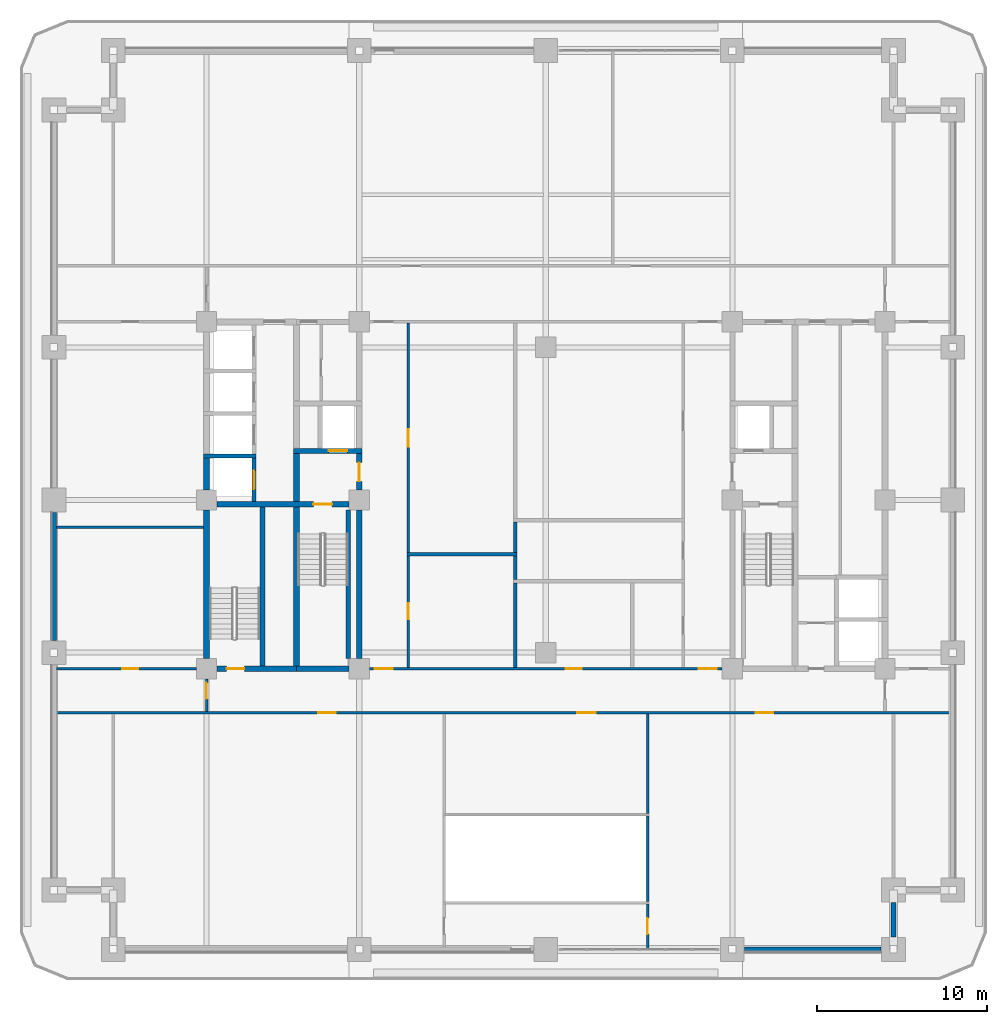
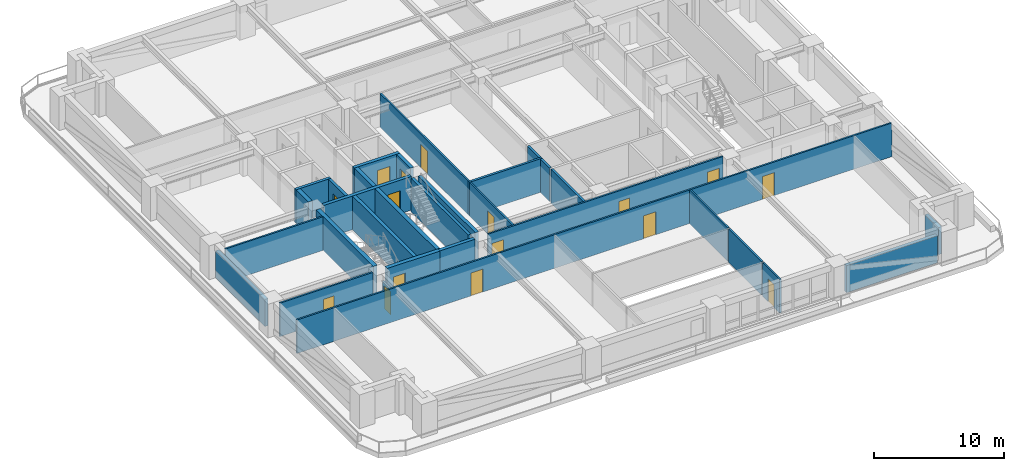
# One storey, part 7 of 18: 31 walls, 16 doors, 16 openings.
"""IFC4 building model written with IfcOpenShell, lengths in metres."""

from ifc_helpers import new_model, si_unit, direction, frame, frame_2d, origin, place, context, subcontext, project, spatial, rectangle, extrude, material, layer, layer_set, type_object, element, fill, save


model = new_model("IFC4")

# Units and contexts
model_context = context("Model", 3, precision=1e-05, world=origin(), true_north=direction((0.0, 1.0)))
body_context = subcontext(model_context, "Body", "Model", "MODEL_VIEW")
ifc_project = project(units=[si_unit("LENGTHUNIT", "METRE"), si_unit("AREAUNIT", "SQUARE_METRE"), si_unit("VOLUMEUNIT", "CUBIC_METRE"), si_unit("PLANEANGLEUNIT", "RADIAN"), si_unit("MASSUNIT", "GRAM", prefix="KILO")], contexts=[model_context])

# Site, building, storey
site_placement = place(None, origin())
site = spatial("IfcSite", under=ifc_project, at=site_placement, CompositionType="ELEMENT")
building_placement = place(site_placement, origin())
building = spatial("IfcBuilding", under=site, at=building_placement, Name="Zulmaris Gate Convention Tower", CompositionType="ELEMENT")
storey_placement = place(building_placement, frame((0.0, 0.0, 78.60986328125)))
storey = spatial("IfcBuildingStorey", under=building, at=storey_placement, Name="L19", CompositionType="ELEMENT", Elevation=78.60986328125)

# Wall
ifc_material_1 = material(Name="Concrete C50/60", Category="concrete")
ifc_layer_1 = layer(ifc_material_1, 0.25, Name="Concrete C50/60")
ifc_layer_set_1 = layer_set([ifc_layer_1], Name="Concrete C50/60")
wall_type_1 = type_object("IfcWallType", Name="CORE-250", PredefinedType="SOLIDWALL", material=ifc_layer_set_1)
wall_1_placement = place(storey_placement, frame((-20.175048828125, 2.60009765625, 0.0), z_axis=(0.0, 0.0, 1.0), x_axis=(1.0, 0.0, 0.0)))
element("IfcWall", 1, at=wall_1_placement, inside=storey, type_object=wall_type_1, Name="WL-L19-009", PredefinedType="SOLIDWALL", context=body_context, shape_type="SweptSolid", body=[
    extrude(rectangle(XDim=3.10009765625, YDim=0.25, at=frame_2d((1.550048828125, 0.0))), origin(), (0.0, 0.0, 1.0), 3.14501953125),
])

# Wall, opening, door
wall_2_placement = place(storey_placement, frame((-17.199951171875, -0.097900390625, 0.0), z_axis=(0.0, 0.0, 1.0), x_axis=(0.0, 1.0, 0.0)))
wall_2 = element("IfcWall", 2, at=wall_2_placement, inside=storey, type_object=wall_type_1, Name="WL-L19-041", PredefinedType="SOLIDWALL", context=body_context, shape_type="SweptSolid", body=[
    extrude(rectangle(XDim=2.57080078125, YDim=0.25, at=frame_2d((1.285400390625, 0.0))), origin(), (0.0, 0.0, 1.0), 3.14501953125),
])
opening_1_placement = place(wall_2_placement, frame((0.722900390625, 0.0, 0.0)))
opening_1 = element("IfcOpeningElement", 3, at=opening_1_placement, cuts=wall_2, Name="Opening D-06", PredefinedType="OPENING", context=body_context, shape_type="SweptSolid", body=[
    extrude(rectangle(XDim=1.10009765625, YDim=2.199951171875, at=frame_2d((0.550048828125, 1.10009765625))), frame((0.0, 0.135009765625, 0.0), z_axis=(0.0, -1.0, 0.0), x_axis=(1.0, 0.0, 0.0)), (0.0, 0.0, 1.0), 0.27001953125),
])
ifc_material_2 = material(Name="Brushed Stainless Steel", Category="steel")
door_type_1 = type_object("IfcDoorType", Name="LD-1100", OperationType="NOTDEFINED", PredefinedType="DOOR", material=ifc_material_2)
door_1_placement = place(opening_1_placement, origin())
door_1 = element("IfcDoor", 4, at=door_1_placement, inside=storey, type_object=door_type_1, Name="L19 Lift Landing Door LP-01 12", OperationType="SLIDING_TO_LEFT", OverallHeight=2.199951171875, OverallWidth=1.10009765625, PredefinedType="DOOR", context=body_context, shape_type="SweptSolid", body=[
    extrude(rectangle(XDim=1.10009765625, YDim=2.199951171875, at=frame_2d((0.550048828125, 1.10009765625))), frame((0.0, 0.02490234375, 0.0), z_axis=(0.0, -1.0, 0.0), x_axis=(1.0, 0.0, 0.0)), (0.0, 0.0, 1.0), 0.050048828125),
])
fill(opening_1, door_1)

# Walls
wall_3_placement = place(storey_placement, frame((-11.64990234375, -9.345947265625, 0.0), z_axis=(0.0, 0.0, 1.0), x_axis=(0.0, 1.0, 0.0)))
element("IfcWall", 5, at=wall_3_placement, inside=storey, type_object=wall_type_1, Name="WL-L19-051", PredefinedType="SOLIDWALL", context=body_context, shape_type="SweptSolid", body=[
    extrude(rectangle(XDim=8.741943359375, YDim=0.25, at=frame_2d((4.37109375, 0.0))), origin(), (0.0, 0.0, 1.0), 3.14501953125),
])
ifc_layer_2 = layer(ifc_material_1, 0.300048828125, Name="Concrete C50/60")
ifc_layer_set_2 = layer_set([ifc_layer_2], Name="Concrete C50/60")
wall_type_2 = type_object("IfcWallType", Name="CORE-300", PredefinedType="SHEAR", material=ifc_layer_set_2)
wall_4_placement = place(storey_placement, frame((-14.699951171875, -9.949951171875, 0.0), z_axis=(0.0, 0.0, 1.0), x_axis=(1.0, 0.0, 0.0)))
element("IfcWall", 6, at=wall_4_placement, inside=storey, type_object=wall_type_2, Name="WL-L19-002", PredefinedType="SHEAR", context=body_context, shape_type="SweptSolid", body=[
    extrude(rectangle(XDim=3.095947265625, YDim=0.300048828125, at=frame_2d((1.5478515625, 0.0))), origin(), (0.0, 0.0, 1.0), 3.14501953125),
])

# Wall, opening, door
wall_5_placement = place(storey_placement, frame((-19.39599609375, -0.25, 0.0), z_axis=(0.0, 0.0, 1.0), x_axis=(1.0, 0.0, 0.0)))
wall_5 = element("IfcWall", 7, at=wall_5_placement, inside=storey, type_object=wall_type_2, Name="WL-L19-007", PredefinedType="SHEAR", context=body_context, shape_type="SweptSolid", body=[
    extrude(rectangle(XDim=7.7919921875, YDim=0.300048828125, at=frame_2d((3.89599609375, 0.0))), origin(), (0.0, 0.0, 1.0), 3.14501953125),
])
opening_2_placement = place(wall_5_placement, frame((5.696044921875, 0.0, 0.0)))
opening_2 = element("IfcOpeningElement", 8, at=opening_2_placement, cuts=wall_5, Name="Opening D-08", PredefinedType="OPENING", context=body_context, shape_type="SweptSolid", body=[
    extrude(rectangle(XDim=1.10009765625, YDim=2.14990234375, at=frame_2d((0.550048828125, 1.074951171875))), frame((0.0, 0.16015625, 0.0), z_axis=(0.0, -1.0, 0.0), x_axis=(1.0, 0.0, 0.0)), (0.0, 0.0, 1.0), 0.320068359375),
])
ifc_material_3 = material(Name="Fire-Rated Steel", Category="steel")
door_type_2 = type_object("IfcDoorType", Name="DR-1100-FD", OperationType="NOTDEFINED", PredefinedType="DOOR", material=ifc_material_3)
door_2_placement = place(opening_2_placement, origin())
door_2 = element("IfcDoor", 9, at=door_2_placement, inside=storey, type_object=door_type_2, Name="L19 Exit Stair ST-1 Door 01", OperationType="SINGLE_SWING_RIGHT", OverallHeight=2.14990234375, OverallWidth=1.10009765625, PredefinedType="DOOR", context=body_context, shape_type="SweptSolid", body=[
    extrude(rectangle(XDim=1.10009765625, YDim=2.14990234375, at=frame_2d((0.550048828125, 1.074951171875))), frame((0.0, 0.02490234375, 0.0), z_axis=(0.0, -1.0, 0.0), x_axis=(1.0, 0.0, 0.0)), (0.0, 0.0, 1.0), 0.050048828125),
])
fill(opening_2, door_2)

wall_6_placement = place(storey_placement, frame((-14.875, 2.89990234375, 0.0), z_axis=(0.0, 0.0, 1.0), x_axis=(1.0, 0.0, 0.0)))
wall_6 = element("IfcWall", 10, at=wall_6_placement, inside=storey, type_object=wall_type_2, Name="WL-L19-010", PredefinedType="SHEAR", context=body_context, shape_type="SweptSolid", body=[
    extrude(rectangle(XDim=4.02490234375, YDim=0.300048828125, at=frame_2d((2.012451171875, 0.0))), origin(), (0.0, 0.0, 1.0), 3.14501953125),
])
opening_3_placement = place(wall_6_placement, frame((2.074951171875, 0.0, 0.0)))
opening_3 = element("IfcOpeningElement", 11, at=opening_3_placement, cuts=wall_6, Name="Opening D-06", PredefinedType="OPENING", context=body_context, shape_type="SweptSolid", body=[
    extrude(rectangle(XDim=1.10009765625, YDim=2.199951171875, at=frame_2d((0.550048828125, 1.10009765625))), frame((0.0, 0.16015625, 0.0), z_axis=(0.0, -1.0, 0.0), x_axis=(1.0, 0.0, 0.0)), (0.0, 0.0, 1.0), 0.320068359375),
])
door_3_placement = place(opening_3_placement, origin())
door_3 = element("IfcDoor", 12, at=door_3_placement, inside=storey, type_object=door_type_1, Name="L19 Lift Landing Door LF-01 03", OperationType="SLIDING_TO_LEFT", OverallHeight=2.199951171875, OverallWidth=1.10009765625, PredefinedType="DOOR", context=body_context, shape_type="SweptSolid", body=[
    extrude(rectangle(XDim=1.10009765625, YDim=2.199951171875, at=frame_2d((0.550048828125, 1.10009765625))), frame((0.0, 0.02490234375, 0.0), z_axis=(0.0, -1.0, 0.0), x_axis=(1.0, 0.0, 0.0)), (0.0, 0.0, 1.0), 0.050048828125),
])
fill(opening_3, door_3)

# Walls
wall_7_placement = place(storey_placement, frame((-16.699951171875, -9.77294921875, 0.0), z_axis=(0.0, 0.0, 1.0), x_axis=(0.0, 1.0, 0.0)))
element("IfcWall", 13, at=wall_7_placement, inside=storey, type_object=wall_type_2, Name="WL-L19-045", PredefinedType="SHEAR", context=body_context, shape_type="SweptSolid", body=[
    extrude(rectangle(XDim=9.370849609375, YDim=0.300048828125, at=frame_2d((4.685546875, 0.0))), origin(), (0.0, 0.0, 1.0), 3.14501953125),
])
wall_8_placement = place(storey_placement, frame((-11.0, -9.345947265625, 0.0), z_axis=(0.0, 0.0, 1.0), x_axis=(0.0, 1.0, 0.0)))
element("IfcWall", 14, at=wall_8_placement, inside=storey, type_object=wall_type_2, Name="WL-L19-052", PredefinedType="SHEAR", context=body_context, shape_type="SweptSolid", body=[
    extrude(rectangle(XDim=8.741943359375, YDim=0.300048828125, at=frame_2d((4.37109375, 0.0))), origin(), (0.0, 0.0, 1.0), 3.14501953125),
])

# Wall, opening, door
wall_9_placement = place(storey_placement, frame((-11.0, 0.60400390625, 0.0), z_axis=(0.0, 0.0, 1.0), x_axis=(0.0, 1.0, 0.0)))
wall_9 = element("IfcWall", 15, at=wall_9_placement, inside=storey, type_object=wall_type_2, Name="WL-L19-053", PredefinedType="SHEAR", context=body_context, shape_type="SweptSolid", body=[
    extrude(rectangle(XDim=2.14404296875, YDim=0.300048828125, at=frame_2d((1.072021484375, 0.0))), origin(), (0.0, 0.0, 1.0), 3.14501953125),
])
opening_4_placement = place(wall_9_placement, frame((0.49609375, 0.0, 0.0)))
opening_4 = element("IfcOpeningElement", 16, at=opening_4_placement, cuts=wall_9, Name="Opening D-08", PredefinedType="OPENING", context=body_context, shape_type="SweptSolid", body=[
    extrude(rectangle(XDim=1.10009765625, YDim=2.14990234375, at=frame_2d((0.550048828125, 1.074951171875))), frame((0.0, 0.16015625, 0.0), z_axis=(0.0, -1.0, 0.0), x_axis=(1.0, 0.0, 0.0)), (0.0, 0.0, 1.0), 0.320068359375),
])
door_4_placement = place(opening_4_placement, origin())
door_4 = element("IfcDoor", 17, at=door_4_placement, inside=storey, type_object=door_type_2, Name="L19 West Firefighting Lobby Door 02", OperationType="SINGLE_SWING_LEFT", OverallHeight=2.14990234375, OverallWidth=1.10009765625, PredefinedType="DOOR", context=body_context, shape_type="SweptSolid", body=[
    extrude(rectangle(XDim=1.10009765625, YDim=2.14990234375, at=frame_2d((0.550048828125, 1.074951171875))), frame((0.0, 0.02490234375, 0.0), z_axis=(0.0, -1.0, 0.0), x_axis=(1.0, 0.0, 0.0)), (0.0, 0.0, 1.0), 0.050048828125),
])
fill(opening_4, door_4)

ifc_material_4 = material(Name="Concrete C55/67", Category="concrete")
ifc_layer_3 = layer(ifc_material_4, 0.35009765625, Name="Concrete C55/67")
ifc_layer_set_3 = layer_set([ifc_layer_3], Name="Concrete C55/67")
wall_type_3 = type_object("IfcWallType", Name="CORE-350", PredefinedType="SHEAR", material=ifc_layer_set_3)
wall_10_placement = place(storey_placement, frame((-19.39599609375, -9.949951171875, 0.0), z_axis=(0.0, 0.0, 1.0), x_axis=(1.0, 0.0, 0.0)))
wall_10 = element("IfcWall", 18, at=wall_10_placement, inside=storey, type_object=wall_type_3, Name="WL-L19-001", PredefinedType="SHEAR", context=body_context, shape_type="SweptSolid", body=[
    extrude(rectangle(XDim=4.696044921875, YDim=0.35009765625, at=frame_2d((2.34814453125, 0.0))), origin(), (0.0, 0.0, 1.0), 3.14501953125),
])
opening_5_placement = place(wall_10_placement, frame((0.571044921875, 0.0, 0.0)))
opening_5 = element("IfcOpeningElement", 19, at=opening_5_placement, cuts=wall_10, Name="Opening D-09", PredefinedType="OPENING", context=body_context, shape_type="SweptSolid", body=[
    extrude(rectangle(XDim=1.050048828125, YDim=2.14990234375, at=frame_2d((0.52490234375, 1.074951171875))), frame((0.0, 0.18505859375, 0.0), z_axis=(0.0, -1.0, 0.0), x_axis=(1.0, 0.0, 0.0)), (0.0, 0.0, 1.0), 0.3701171875),
])
door_type_3 = type_object("IfcDoorType", Name="DR-1050-FD", OperationType="NOTDEFINED", PredefinedType="DOOR", material=ifc_material_3)
door_5_placement = place(opening_5_placement, origin())
door_5 = element("IfcDoor", 20, at=door_5_placement, inside=storey, type_object=door_type_3, Name="L19 Exit Stair ST-3 Door 10", OperationType="SINGLE_SWING_LEFT", OverallHeight=2.14990234375, OverallWidth=1.050048828125, PredefinedType="DOOR", context=body_context, shape_type="SweptSolid", body=[
    extrude(rectangle(XDim=1.050048828125, YDim=2.14990234375, at=frame_2d((0.52490234375, 1.074951171875))), frame((0.0, 0.02490234375, 0.0), z_axis=(0.0, -1.0, 0.0), x_axis=(1.0, 0.0, 0.0)), (0.0, 0.0, 1.0), 0.050048828125),
])
fill(opening_5, door_5)

# Walls
wall_11_placement = place(storey_placement, frame((-20.0, -9.345947265625, 0.0), z_axis=(0.0, 0.0, 1.0), x_axis=(0.0, 1.0, 0.0)))
element("IfcWall", 21, at=wall_11_placement, inside=storey, type_object=wall_type_3, Name="WL-L19-036", PredefinedType="SHEAR", context=body_context, shape_type="SweptSolid", body=[
    extrude(rectangle(XDim=8.741943359375, YDim=0.35009765625, at=frame_2d((4.37109375, 0.0))), origin(), (0.0, 0.0, 1.0), 3.14501953125),
])
wall_12_placement = place(storey_placement, frame((-20.0, 0.60400390625, 0.0), z_axis=(0.0, 0.0, 1.0), x_axis=(0.0, 1.0, 0.0)))
element("IfcWall", 22, at=wall_12_placement, inside=storey, type_object=wall_type_3, Name="WL-L19-037", PredefinedType="SHEAR", context=body_context, shape_type="SweptSolid", body=[
    extrude(rectangle(XDim=1.868896484375, YDim=0.35009765625, at=frame_2d((0.9345703125, 0.0))), origin(), (0.0, 0.0, 1.0), 3.14501953125),
])
wall_13_placement = place(storey_placement, frame((-14.699951171875, -9.77294921875, 0.0), z_axis=(0.0, 0.0, 1.0), x_axis=(0.0, 1.0, 0.0)))
element("IfcWall", 23, at=wall_13_placement, inside=storey, type_object=wall_type_3, Name="WL-L19-046", PredefinedType="SHEAR", context=body_context, shape_type="SweptSolid", body=[
    extrude(rectangle(XDim=9.370849609375, YDim=0.35009765625, at=frame_2d((4.685546875, 0.0))), origin(), (0.0, 0.0, 1.0), 3.14501953125),
])
wall_14_placement = place(storey_placement, frame((-14.699951171875, -0.097900390625, 0.0), z_axis=(0.0, 0.0, 1.0), x_axis=(0.0, 1.0, 0.0)))
element("IfcWall", 24, at=wall_14_placement, inside=storey, type_object=wall_type_3, Name="WL-L19-047", PredefinedType="SHEAR", context=body_context, shape_type="SweptSolid", body=[
    extrude(rectangle(XDim=2.845947265625, YDim=0.35009765625, at=frame_2d((1.4228515625, 0.0))), origin(), (0.0, 0.0, 1.0), 3.14501953125),
])

# Wall, openings, doors
ifc_material_5 = material(Name="Gypsum Metal Stud Partition")
ifc_layer_4 = layer(ifc_material_5, 0.14990234375, Name="Gypsum Metal Stud Partition")
ifc_layer_set_4 = layer_set([ifc_layer_4], Name="Gypsum Metal Stud Partition")
wall_type_4 = type_object("IfcWallType", Name="PART-150", PredefinedType="PARTITIONING", material=ifc_layer_set_4)
wall_15_placement = place(storey_placement, frame((-28.8349609375, -12.550048828125, 0.0), z_axis=(0.0, 0.0, 1.0), x_axis=(1.0, 0.0, 0.0)))
wall_15 = element("IfcWall", 25, at=wall_15_placement, inside=storey, type_object=wall_type_4, Name="WL-L19-022", PredefinedType="PARTITIONING", context=body_context, shape_type="SweptSolid", body=[
    extrude(rectangle(XDim=52.669921875, YDim=0.14990234375, at=frame_2d((26.3349609375, 0.0))), origin(), (0.0, 0.0, 1.0), 3.14501953125),
])
opening_6_placement = place(wall_15_placement, frame((30.68505859375, 0.0, 0.0)))
opening_6 = element("IfcOpeningElement", 26, at=opening_6_placement, cuts=wall_15, Name="Opening D-08", PredefinedType="OPENING", context=body_context, shape_type="SweptSolid", body=[
    extrude(rectangle(XDim=1.10009765625, YDim=2.14990234375, at=frame_2d((0.550048828125, 1.074951171875))), frame((0.0, 0.0849609375, 0.0), z_axis=(0.0, -1.0, 0.0), x_axis=(1.0, 0.0, 0.0)), (0.0, 0.0, 1.0), 0.169921875),
])
opening_7_placement = place(wall_15_placement, frame((15.409912109375, 0.0, 0.0)))
opening_7 = element("IfcOpeningElement", 27, at=opening_7_placement, cuts=wall_15, Name="Opening D-09", PredefinedType="OPENING", context=body_context, shape_type="SweptSolid", body=[
    extrude(rectangle(XDim=1.050048828125, YDim=2.14990234375, at=frame_2d((0.52490234375, 1.074951171875))), frame((0.0, 0.0849609375, 0.0), z_axis=(0.0, -1.0, 0.0), x_axis=(1.0, 0.0, 0.0)), (0.0, 0.0, 1.0), 0.169921875),
])
opening_8_placement = place(wall_15_placement, frame((41.2099609375, 0.0, 0.0)))
opening_8 = element("IfcOpeningElement", 28, at=opening_8_placement, cuts=wall_15, Name="Opening D-09", PredefinedType="OPENING", context=body_context, shape_type="SweptSolid", body=[
    extrude(rectangle(XDim=1.050048828125, YDim=2.14990234375, at=frame_2d((0.52490234375, 1.074951171875))), frame((0.0, 0.0849609375, 0.0), z_axis=(0.0, -1.0, 0.0), x_axis=(1.0, 0.0, 0.0)), (0.0, 0.0, 1.0), 0.169921875),
])
door_6_placement = place(opening_7_placement, origin())
door_6 = element("IfcDoor", 29, at=door_6_placement, inside=storey, type_object=door_type_3, Name="L19 Corner Boardroom SW Door 29", OperationType="SINGLE_SWING_RIGHT", OverallHeight=2.14990234375, OverallWidth=1.050048828125, PredefinedType="DOOR", context=body_context, shape_type="SweptSolid", body=[
    extrude(rectangle(XDim=1.050048828125, YDim=2.14990234375, at=frame_2d((0.52490234375, 1.074951171875))), frame((0.0, 0.02490234375, 0.0), z_axis=(0.0, -1.0, 0.0), x_axis=(1.0, 0.0, 0.0)), (0.0, 0.0, 1.0), 0.050048828125),
])
fill(opening_7, door_6)
door_7_placement = place(opening_8_placement, origin())
door_7 = element("IfcDoor", 30, at=door_7_placement, inside=storey, type_object=door_type_3, Name="L19 Corner Boardroom SE Door 30", OperationType="SINGLE_SWING_LEFT", OverallHeight=2.14990234375, OverallWidth=1.050048828125, PredefinedType="DOOR", context=body_context, shape_type="SweptSolid", body=[
    extrude(rectangle(XDim=1.050048828125, YDim=2.14990234375, at=frame_2d((0.52490234375, 1.074951171875))), frame((0.0, 0.02490234375, 0.0), z_axis=(0.0, -1.0, 0.0), x_axis=(1.0, 0.0, 0.0)), (0.0, 0.0, 1.0), 0.050048828125),
])
fill(opening_8, door_7)
door_8_placement = place(opening_6_placement, origin())
door_8 = element("IfcDoor", 31, at=door_8_placement, inside=storey, type_object=door_type_2, Name="L19 Mezzanine Gallery Door 28", OperationType="SINGLE_SWING_LEFT", OverallHeight=2.14990234375, OverallWidth=1.10009765625, PredefinedType="DOOR", context=body_context, shape_type="SweptSolid", body=[
    extrude(rectangle(XDim=1.10009765625, YDim=2.14990234375, at=frame_2d((0.550048828125, 1.074951171875))), frame((0.0, 0.02490234375, 0.0), z_axis=(0.0, -1.0, 0.0), x_axis=(1.0, 0.0, 0.0)), (0.0, 0.0, 1.0), 0.050048828125),
])
fill(opening_6, door_8)

# Wall, opening, door
wall_16_placement = place(storey_placement, frame((-28.8349609375, -9.949951171875, 0.0), z_axis=(0.0, 0.0, 1.0), x_axis=(1.0, 0.0, 0.0)))
wall_16 = element("IfcWall", 32, at=wall_16_placement, inside=storey, type_object=wall_type_4, Name="WL-L19-023", PredefinedType="PARTITIONING", context=body_context, shape_type="SweptSolid", body=[
    extrude(rectangle(XDim=8.22900390625, YDim=0.14990234375, at=frame_2d((4.114501953125, 0.0))), origin(), (0.0, 0.0, 1.0), 3.14501953125),
])
opening_9_placement = place(wall_16_placement, frame((3.860107421875, 0.0, 0.0)))
opening_9 = element("IfcOpeningElement", 33, at=opening_9_placement, cuts=wall_16, Name="Opening D-11", PredefinedType="OPENING", context=body_context, shape_type="SweptSolid", body=[
    extrude(rectangle(XDim=0.949951171875, YDim=2.14990234375, at=frame_2d((0.47509765625, 1.074951171875))), frame((0.0, 0.0849609375, 0.0), z_axis=(0.0, -1.0, 0.0), x_axis=(1.0, 0.0, 0.0)), (0.0, 0.0, 1.0), 0.169921875),
])
ifc_material_6 = material(Name="Fire-Rated Timber", Category="wood")
door_type_4 = type_object("IfcDoorType", Name="DR-950-FD", OperationType="NOTDEFINED", PredefinedType="DOOR", material=ifc_material_6)
door_9_placement = place(opening_9_placement, origin())
door_9 = element("IfcDoor", 34, at=door_9_placement, inside=storey, type_object=door_type_4, Name="L19 SW Partner Door 40", OperationType="SINGLE_SWING_LEFT", OverallHeight=2.14990234375, OverallWidth=0.949951171875, PredefinedType="DOOR", context=body_context, shape_type="SweptSolid", body=[
    extrude(rectangle(XDim=0.949951171875, YDim=2.14990234375, at=frame_2d((0.47509765625, 1.074951171875))), frame((0.0, 0.02490234375, 0.0), z_axis=(0.0, -1.0, 0.0), x_axis=(1.0, 0.0, 0.0)), (0.0, 0.0, 1.0), 0.050048828125),
])
fill(opening_9, door_9)

# Wall, openings, doors
wall_17_placement = place(storey_placement, frame((-10.39404296875, -9.949951171875, 0.0), z_axis=(0.0, 0.0, 1.0), x_axis=(1.0, 0.0, 0.0)))
wall_17 = element("IfcWall", 35, at=wall_17_placement, inside=storey, type_object=wall_type_4, Name="WL-L19-024", PredefinedType="PARTITIONING", context=body_context, shape_type="SweptSolid", body=[
    extrude(rectangle(XDim=20.7880859375, YDim=0.14990234375, at=frame_2d((10.39404296875, 0.0))), origin(), (0.0, 0.0, 1.0), 3.14501953125),
])
opening_10_placement = place(wall_17_placement, frame((0.319091796875, 0.0, 0.0)))
opening_10 = element("IfcOpeningElement", 36, at=opening_10_placement, cuts=wall_17, Name="Opening D-09", PredefinedType="OPENING", context=body_context, shape_type="SweptSolid", body=[
    extrude(rectangle(XDim=1.050048828125, YDim=2.14990234375, at=frame_2d((0.52490234375, 1.074951171875))), frame((0.0, 0.0849609375, 0.0), z_axis=(0.0, -1.0, 0.0), x_axis=(1.0, 0.0, 0.0)), (0.0, 0.0, 1.0), 0.169921875),
])
opening_11_placement = place(wall_17_placement, frame((19.4189453125, 0.0, 0.0)))
opening_11 = element("IfcOpeningElement", 37, at=opening_11_placement, cuts=wall_17, Name="Opening D-09", PredefinedType="OPENING", context=body_context, shape_type="SweptSolid", body=[
    extrude(rectangle(XDim=1.050048828125, YDim=2.14990234375, at=frame_2d((0.52490234375, 1.074951171875))), frame((0.0, 0.0849609375, 0.0), z_axis=(0.0, -1.0, 0.0), x_axis=(1.0, 0.0, 0.0)), (0.0, 0.0, 1.0), 0.169921875),
])
opening_12_placement = place(wall_17_placement, frame((11.569091796875, 0.0, 0.0)))
opening_12 = element("IfcOpeningElement", 38, at=opening_12_placement, cuts=wall_17, Name="Opening D-11", PredefinedType="OPENING", context=body_context, shape_type="SweptSolid", body=[
    extrude(rectangle(XDim=0.949951171875, YDim=2.14990234375, at=frame_2d((0.47509765625, 1.074951171875))), frame((0.0, 0.0849609375, 0.0), z_axis=(0.0, -1.0, 0.0), x_axis=(1.0, 0.0, 0.0)), (0.0, 0.0, 1.0), 0.169921875),
])
door_10_placement = place(opening_10_placement, origin())
door_10 = element("IfcDoor", 39, at=door_10_placement, inside=storey, type_object=door_type_3, Name="L19 SW Spine Link Door 21", OperationType="SINGLE_SWING_RIGHT", OverallHeight=2.14990234375, OverallWidth=1.050048828125, PredefinedType="DOOR", context=body_context, shape_type="SweptSolid", body=[
    extrude(rectangle(XDim=1.050048828125, YDim=2.14990234375, at=frame_2d((0.52490234375, 1.074951171875))), frame((0.0, 0.02490234375, 0.0), z_axis=(0.0, -1.0, 0.0), x_axis=(1.0, 0.0, 0.0)), (0.0, 0.0, 1.0), 0.050048828125),
])
fill(opening_10, door_10)
door_11_placement = place(opening_11_placement, origin())
door_11 = element("IfcDoor", 40, at=door_11_placement, inside=storey, type_object=door_type_3, Name="L19 SE Spine Link Door 23", OperationType="SINGLE_SWING_RIGHT", OverallHeight=2.14990234375, OverallWidth=1.050048828125, PredefinedType="DOOR", context=body_context, shape_type="SweptSolid", body=[
    extrude(rectangle(XDim=1.050048828125, YDim=2.14990234375, at=frame_2d((0.52490234375, 1.074951171875))), frame((0.0, 0.02490234375, 0.0), z_axis=(0.0, -1.0, 0.0), x_axis=(1.0, 0.0, 0.0)), (0.0, 0.0, 1.0), 0.050048828125),
])
fill(opening_11, door_11)
door_12_placement = place(opening_12_placement, origin())
door_12 = element("IfcDoor", 41, at=door_12_placement, inside=storey, type_object=door_type_4, Name="L19 Print Room Door 36", OperationType="SINGLE_SWING_LEFT", OverallHeight=2.14990234375, OverallWidth=0.949951171875, PredefinedType="DOOR", context=body_context, shape_type="SweptSolid", body=[
    extrude(rectangle(XDim=0.949951171875, YDim=2.14990234375, at=frame_2d((0.47509765625, 1.074951171875))), frame((0.0, 0.02490234375, 0.0), z_axis=(0.0, -1.0, 0.0), x_axis=(1.0, 0.0, 0.0)), (0.0, 0.0, 1.0), 0.050048828125),
])
fill(opening_12, door_12)

# Wall
wall_18_placement = place(storey_placement, frame((-28.8349609375, -1.60009765625, 0.0), z_axis=(0.0, 0.0, 1.0), x_axis=(1.0, 0.0, 0.0)))
element("IfcWall", 42, at=wall_18_placement, inside=storey, type_object=wall_type_4, Name="WL-L19-030", PredefinedType="PARTITIONING", context=body_context, shape_type="SweptSolid", body=[
    extrude(rectangle(XDim=8.656982421875, YDim=0.14990234375, at=frame_2d((4.32861328125, 0.0))), origin(), (0.0, 0.0, 1.0), 3.14501953125),
])

# Wall, opening, door
wall_19_placement = place(storey_placement, frame((-20.0, -12.471923828125, 0.0), z_axis=(0.0, 0.0, 1.0), x_axis=(0.0, 1.0, 0.0)))
wall_19 = element("IfcWall", 43, at=wall_19_placement, inside=storey, type_object=wall_type_4, Name="WL-L19-073", PredefinedType="PARTITIONING", context=body_context, shape_type="SweptSolid", body=[
    extrude(rectangle(XDim=1.916015625, YDim=0.14990234375, at=frame_2d((0.9580078125, 0.0))), origin(), (0.0, 0.0, 1.0), 2.485107421875),
])
opening_13_placement = place(wall_19_placement, frame((0.7470703125, 0.0, 0.0)))
opening_13 = element("IfcOpeningElement", 44, at=opening_13_placement, cuts=wall_19, Name="Opening D-11", PredefinedType="OPENING", context=body_context, shape_type="SweptSolid", body=[
    extrude(rectangle(XDim=0.949951171875, YDim=2.14990234375, at=frame_2d((0.47509765625, 1.074951171875))), frame((0.0, 0.0849609375, 0.0), z_axis=(0.0, -1.0, 0.0), x_axis=(1.0, 0.0, 0.0)), (0.0, 0.0, 1.0), 0.169921875),
])
door_13_placement = place(opening_13_placement, origin())
door_13 = element("IfcDoor", 45, at=door_13_placement, inside=storey, type_object=door_type_4, Name="L19 SW Spur Door 38", OperationType="SINGLE_SWING_LEFT", OverallHeight=2.14990234375, OverallWidth=0.949951171875, PredefinedType="DOOR", context=body_context, shape_type="SweptSolid", body=[
    extrude(rectangle(XDim=0.949951171875, YDim=2.14990234375, at=frame_2d((0.47509765625, 1.074951171875))), frame((0.0, 0.02490234375, 0.0), z_axis=(0.0, -1.0, 0.0), x_axis=(1.0, 0.0, 0.0)), (0.0, 0.0, 1.0), 0.050048828125),
])
fill(opening_13, door_13)

wall_20_placement = place(storey_placement, frame((-8.10009765625, -9.8720703125, 0.0), z_axis=(0.0, 0.0, 1.0), x_axis=(0.0, 1.0, 0.0)))
wall_20 = element("IfcWall", 46, at=wall_20_placement, inside=storey, type_object=wall_type_4, Name="WL-L19-076", PredefinedType="PARTITIONING", context=body_context, shape_type="SweptSolid", body=[
    extrude(rectangle(XDim=6.569091796875, YDim=0.14990234375, at=frame_2d((3.28466796875, 0.0))), origin(), (0.0, 0.0, 1.0), 3.14501953125),
])
opening_14_placement = place(wall_20_placement, frame((2.826904296875, 0.0, 0.0)))
opening_14 = element("IfcOpeningElement", 47, at=opening_14_placement, cuts=wall_20, Name="Opening D-11", PredefinedType="OPENING", context=body_context, shape_type="SweptSolid", body=[
    extrude(rectangle(XDim=0.949951171875, YDim=2.14990234375, at=frame_2d((0.47509765625, 1.074951171875))), frame((0.0, 0.0849609375, 0.0), z_axis=(0.0, -1.0, 0.0), x_axis=(1.0, 0.0, 0.0)), (0.0, 0.0, 1.0), 0.169921875),
])
door_14_placement = place(opening_14_placement, origin())
door_14 = element("IfcDoor", 48, at=door_14_placement, inside=storey, type_object=door_type_4, Name="L19 Wellness Pantry Door 32", OperationType="SINGLE_SWING_LEFT", OverallHeight=2.14990234375, OverallWidth=0.949951171875, PredefinedType="DOOR", context=body_context, shape_type="SweptSolid", body=[
    extrude(rectangle(XDim=0.949951171875, YDim=2.14990234375, at=frame_2d((0.47509765625, 1.074951171875))), frame((0.0, 0.02490234375, 0.0), z_axis=(0.0, -1.0, 0.0), x_axis=(1.0, 0.0, 0.0)), (0.0, 0.0, 1.0), 0.050048828125),
])
fill(opening_14, door_14)

wall_21_placement = place(storey_placement, frame((-8.10009765625, -3.096923828125, 0.0), z_axis=(0.0, 0.0, 1.0), x_axis=(0.0, 1.0, 0.0)))
wall_21 = element("IfcWall", 49, at=wall_21_placement, inside=storey, type_object=wall_type_4, Name="WL-L19-077", PredefinedType="PARTITIONING", context=body_context, shape_type="SweptSolid", body=[
    extrude(rectangle(XDim=13.51904296875, YDim=0.14990234375, at=frame_2d((6.759521484375, 0.0))), origin(), (0.0, 0.0, 1.0), 3.14501953125),
])
opening_15_placement = place(wall_21_placement, frame((6.221923828125, 0.0, 0.0)))
opening_15 = element("IfcOpeningElement", 50, at=opening_15_placement, cuts=wall_21, Name="Opening D-09", PredefinedType="OPENING", context=body_context, shape_type="SweptSolid", body=[
    extrude(rectangle(XDim=1.050048828125, YDim=2.14990234375, at=frame_2d((0.52490234375, 1.074951171875))), frame((0.0, 0.0849609375, 0.0), z_axis=(0.0, -1.0, 0.0), x_axis=(1.0, 0.0, 0.0)), (0.0, 0.0, 1.0), 0.169921875),
])
door_15_placement = place(opening_15_placement, origin())
door_15 = element("IfcDoor", 51, at=door_15_placement, inside=storey, type_object=door_type_3, Name="L19 Boardroom Door 31", OperationType="SINGLE_SWING_RIGHT", OverallHeight=2.14990234375, OverallWidth=1.050048828125, PredefinedType="DOOR", context=body_context, shape_type="SweptSolid", body=[
    extrude(rectangle(XDim=1.050048828125, YDim=2.14990234375, at=frame_2d((0.52490234375, 1.074951171875))), frame((0.0, 0.02490234375, 0.0), z_axis=(0.0, -1.0, 0.0), x_axis=(1.0, 0.0, 0.0)), (0.0, 0.0, 1.0), 0.050048828125),
])
fill(opening_15, door_15)

wall_22_placement = place(storey_placement, frame((6.0, -26.43994140625, 0.0), z_axis=(0.0, 0.0, 1.0), x_axis=(0.0, 1.0, 0.0)))
wall_22 = element("IfcWall", 52, at=wall_22_placement, inside=storey, type_object=wall_type_4, Name="WL-L19-087", PredefinedType="PARTITIONING", context=body_context, shape_type="SweptSolid", body=[
    extrude(rectangle(XDim=2.612060546875, YDim=0.14990234375, at=frame_2d((1.30615234375, 0.0))), origin(), (0.0, 0.0, 1.0), 3.14501953125),
])
opening_16_placement = place(wall_22_placement, frame((0.844970703125, 0.0, 0.0)))
opening_16 = element("IfcOpeningElement", 53, at=opening_16_placement, cuts=wall_22, Name="Opening D-16", PredefinedType="OPENING", context=body_context, shape_type="SweptSolid", body=[
    extrude(rectangle(XDim=0.949951171875, YDim=2.14990234375, at=frame_2d((0.47509765625, 1.074951171875))), frame((0.0, 0.0849609375, 0.0), z_axis=(0.0, -1.0, 0.0), x_axis=(1.0, 0.0, 0.0)), (0.0, 0.0, 1.0), 0.169921875),
])
ifc_material_7 = material(Name="Veneered Hardwood Timber", Category="wood")
door_type_5 = type_object("IfcDoorType", Name="DR-950", OperationType="NOTDEFINED", PredefinedType="DOOR", material=ifc_material_7)
door_16_placement = place(opening_16_placement, origin())
door_16 = element("IfcDoor", 54, at=door_16_placement, inside=storey, type_object=door_type_5, Name="L19 Terrace Loggia East Door 27", OperationType="SINGLE_SWING_RIGHT", OverallHeight=2.14990234375, OverallWidth=0.949951171875, PredefinedType="DOOR", context=body_context, shape_type="SweptSolid", body=[
    extrude(rectangle(XDim=0.949951171875, YDim=2.14990234375, at=frame_2d((0.47509765625, 1.074951171875))), frame((0.0, 0.02490234375, 0.0), z_axis=(0.0, -1.0, 0.0), x_axis=(1.0, 0.0, 0.0)), (0.0, 0.0, 1.0), 0.050048828125),
])
fill(opening_16, door_16)

# Walls
wall_23_placement = place(storey_placement, frame((6.0, -23.672119140625, 0.0), z_axis=(0.0, 0.0, 1.0), x_axis=(0.0, 1.0, 0.0)))
element("IfcWall", 55, at=wall_23_placement, inside=storey, type_object=wall_type_4, Name="WL-L19-088", PredefinedType="PARTITIONING", context=body_context, shape_type="SweptSolid", body=[
    extrude(rectangle(XDim=5.044189453125, YDim=0.14990234375, at=frame_2d((2.52197265625, 0.0))), origin(), (0.0, 0.0, 1.0), 3.14501953125),
])
wall_24_placement = place(storey_placement, frame((6.0, -18.471923828125, 0.0), z_axis=(0.0, 0.0, 1.0), x_axis=(0.0, 1.0, 0.0)))
element("IfcWall", 56, at=wall_24_placement, inside=storey, type_object=wall_type_4, Name="WL-L19-089", PredefinedType="PARTITIONING", context=body_context, shape_type="SweptSolid", body=[
    extrude(rectangle(XDim=5.843994140625, YDim=0.14990234375, at=frame_2d((2.921875, 0.0))), origin(), (0.0, 0.0, 1.0), 3.14501953125),
])
ifc_material_8 = material(Name="Autoclaved Aerated Concrete Block and Plasterboard", Category="concrete")
ifc_layer_5 = layer(ifc_material_8, 0.199951171875, Name="Autoclaved Aerated Concrete Block and Plasterboard")
ifc_layer_set_5 = layer_set([ifc_layer_5], Name="Autoclaved Aerated Concrete Block and Plasterboard")
wall_type_5 = type_object("IfcWallType", Name="PART-200", PredefinedType="PARTITIONING", material=ifc_layer_set_5)
wall_25_placement = place(storey_placement, frame((-8.175048828125, -3.199951171875, 0.0), z_axis=(0.0, 0.0, 1.0), x_axis=(1.0, 0.0, 0.0)))
element("IfcWall", 57, at=wall_25_placement, inside=storey, type_object=wall_type_5, Name="WL-L19-029", PredefinedType="PARTITIONING", context=body_context, shape_type="SweptSolid", body=[
    extrude(rectangle(XDim=6.47509765625, YDim=0.199951171875, at=frame_2d((3.237548828125, 0.0))), origin(), (0.0, 0.0, 1.0), 3.14501953125),
])
wall_26_placement = place(storey_placement, frame((-1.800048828125, -9.8720703125, 0.0), z_axis=(0.0, 0.0, 1.0), x_axis=(0.0, 1.0, 0.0)))
element("IfcWall", 58, at=wall_26_placement, inside=storey, type_object=wall_type_5, Name="WL-L19-081", PredefinedType="PARTITIONING", context=body_context, shape_type="SweptSolid", body=[
    extrude(rectangle(XDim=4.968994140625, YDim=0.199951171875, at=frame_2d((2.484375, 0.0))), origin(), (0.0, 0.0, 1.0), 3.14501953125),
])
wall_27_placement = place(storey_placement, frame((-1.800048828125, -4.697021484375, 0.0), z_axis=(0.0, 0.0, 1.0), x_axis=(0.0, 1.0, 0.0)))
element("IfcWall", 59, at=wall_27_placement, inside=storey, type_object=wall_type_5, Name="WL-L19-082", PredefinedType="PARTITIONING", context=body_context, shape_type="SweptSolid", body=[
    extrude(rectangle(XDim=1.39404296875, YDim=0.199951171875, at=frame_2d((0.697021484375, 0.0))), origin(), (0.0, 0.0, 1.0), 3.14501953125),
])
wall_28_placement = place(storey_placement, frame((-1.800048828125, -3.096923828125, 0.0), z_axis=(0.0, 0.0, 1.0), x_axis=(0.0, 1.0, 0.0)))
element("IfcWall", 60, at=wall_28_placement, inside=storey, type_object=wall_type_5, Name="WL-L19-083", PredefinedType="PARTITIONING", context=body_context, shape_type="SweptSolid", body=[
    extrude(rectangle(XDim=1.7939453125, YDim=0.199951171875, at=frame_2d((0.89697265625, 0.0))), origin(), (0.0, 0.0, 1.0), 3.14501953125),
])
ifc_material_9 = material(Name="Precast concrete C40/50", Category="concrete")
ifc_layer_6 = layer(ifc_material_9, 0.300048828125, Name="Precast concrete C40/50")
ifc_layer_set_6 = layer_set([ifc_layer_6], Name="Precast concrete C40/50")
wall_type_6 = type_object("IfcWallType", Name="PRECAST-PIER-300", PredefinedType="STANDARD", material=ifc_layer_set_6)
wall_29_placement = place(storey_placement, frame((20.5, -25.77001953125, 0.0), z_axis=(0.0, 0.0, 1.0), x_axis=(0.0, 1.0, 0.0)))
element("IfcWall", 61, at=wall_29_placement, inside=storey, type_object=wall_type_6, Name="EW-L19-NOTCH-SE1_0", PredefinedType="STANDARD", context=body_context, shape_type="SweptSolid", body=[
    extrude(rectangle(XDim=2.0400390625, YDim=0.300048828125, at=frame_2d((1.02001953125, 0.0))), origin(), (0.0, 0.0, 1.0), 2.537109375),
])
wall_30_placement = place(storey_placement, frame((11.72998046875, -26.5, 0.0), z_axis=(0.0, 0.0, 1.0), x_axis=(1.0, 0.0, 0.0)))
element("IfcWall", 62, at=wall_30_placement, inside=storey, type_object=wall_type_6, Name="EW-L19-S-3_0", PredefinedType="STANDARD", context=body_context, shape_type="SweptSolid", body=[
    extrude(rectangle(XDim=8.0400390625, YDim=0.300048828125, at=frame_2d((4.02001953125, 0.0))), origin(), (0.0, 0.0, 1.0), 2.537109375),
])
wall_31_placement = place(storey_placement, frame((-29.0, -0.72998046875, 0.0), z_axis=(0.0, 0.0, 1.0), x_axis=(0.0, -1.0, 0.0)))
element("IfcWall", 63, at=wall_31_placement, inside=storey, type_object=wall_type_6, Name="EW-L19-W-1_0", PredefinedType="STANDARD", context=body_context, shape_type="SweptSolid", body=[
    extrude(rectangle(XDim=7.5400390625, YDim=0.300048828125, at=frame_2d((3.77001953125, 0.0))), origin(), (0.0, 0.0, 1.0), 2.537109375),
])

save(model, "model.ifc")
